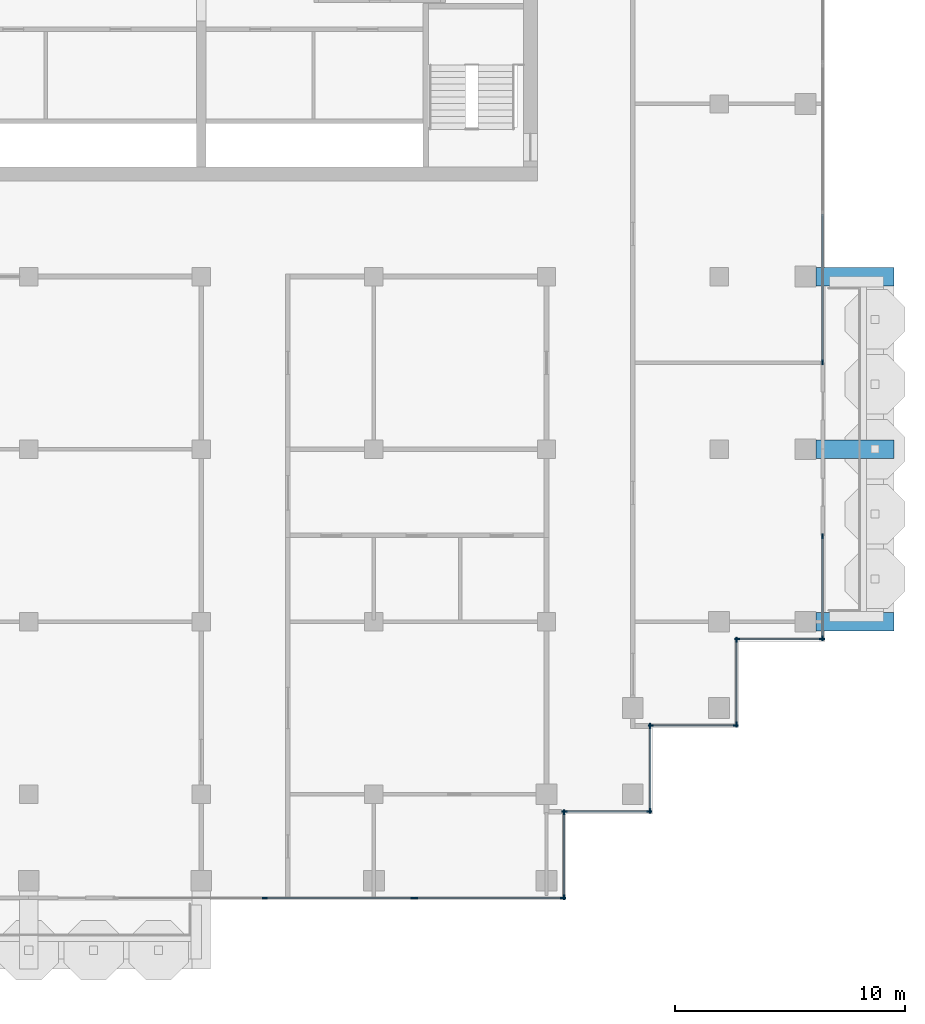
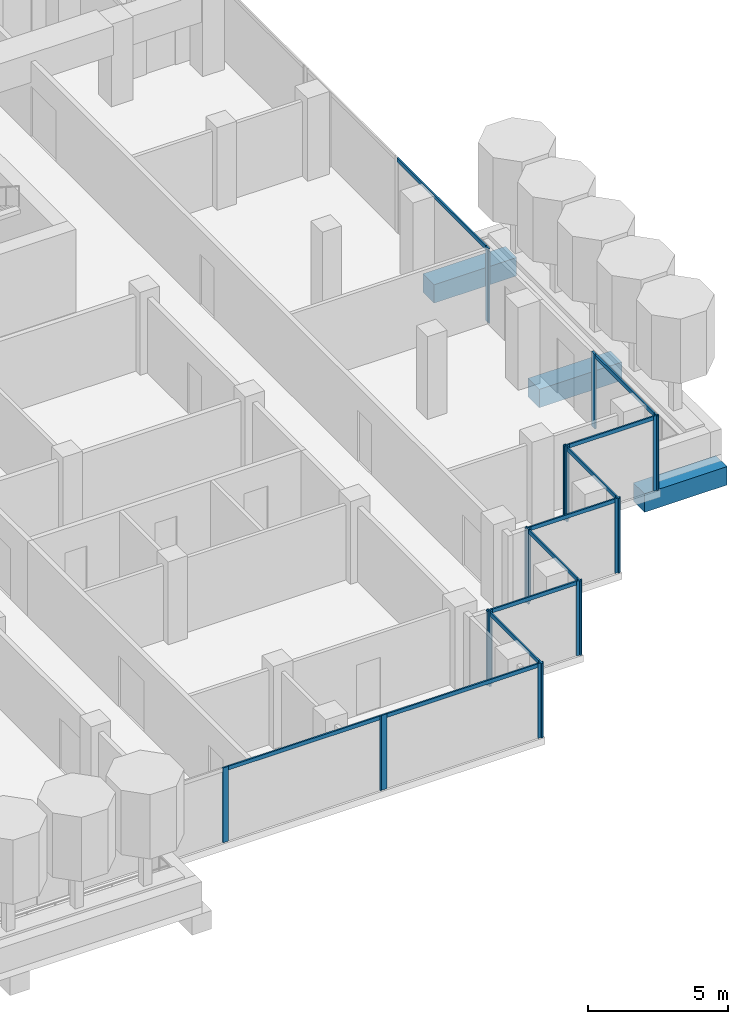
# One storey, part 4 of 18: 29 members, 3 beams, 10 elements without a shape of their own.
"""IFC4 building model written with IfcOpenShell, lengths in metres."""

from ifc_helpers import new_model, si_unit, direction, frame, origin, origin_2d, place, context, subcontext, project, spatial, rectangle, extrude, material, material_profile, profile_set, type_object, element, aggregate, save


model = new_model("IFC4")

# Units and contexts
model_context = context("Model", 3, precision=1e-05, world=origin(), true_north=direction((0.0, 1.0)))
body_context = subcontext(model_context, "Body", "Model", "MODEL_VIEW")
ifc_project = project(units=[si_unit("LENGTHUNIT", "METRE"), si_unit("AREAUNIT", "SQUARE_METRE"), si_unit("VOLUMEUNIT", "CUBIC_METRE"), si_unit("PLANEANGLEUNIT", "RADIAN"), si_unit("MASSUNIT", "GRAM", prefix="KILO")], contexts=[model_context])

# Site, building, storey
site_placement = place(None, origin())
site = spatial("IfcSite", under=ifc_project, at=site_placement, CompositionType="ELEMENT")
building_placement = place(site_placement, origin())
building = spatial("IfcBuilding", under=site, at=building_placement, Name="Pilkhan Gate Tower", CompositionType="ELEMENT")
storey_placement = place(building_placement, frame((0.0, 0.0, 249.89990234375)))
storey = spatial("IfcBuildingStorey", under=building, at=storey_placement, Name="L65", CompositionType="ELEMENT", Elevation=249.89990234375)

# Beams
ifc_material_1 = material(Name="Concrete C50/60", Category="concrete")
ifc_material_profile_1 = material_profile(ifc_material_1, rectangle(XDim=0.800048828125, YDim=0.800048828125, at=origin_2d()), Name="RC 800x800")
ifc_profile_set_1 = profile_set([ifc_material_profile_1], Name="Concrete C50/60")
beam_type = type_object("IfcBeamType", Name="Cantilever beam CB2 RC 800x800 C50/60", PredefinedType="BEAM", material=ifc_profile_set_1)
for number, where, z_axis, x_axis, name in (
    (1, (101.699951171875, 52.5, -0.699951171875), (1.0, 0.0, 0.0), (0.0, 1.0, 0.0), "Balcony beam E.1 L65"),
    (2, (101.699951171875, 60.0, -0.699951171875), (1.0, 0.0, 0.0), (0.0, 1.0, 0.0), "Balcony beam E.2 L65"),
    (3, (101.699951171875, 67.5, -0.699951171875), (1.0, 0.0, 0.0), (0.0, 1.0, 0.0), "Balcony beam E.3 L65"),
):
    element("IfcBeam", number, at=place(storey_placement, frame(where, z_axis=z_axis, x_axis=x_axis)), inside=storey, type_object=beam_type, Name=name, PredefinedType="BEAM", context=body_context, shape_type="SweptSolid", body=[
        extrude(rectangle(XDim=0.800048828125, YDim=0.800048828125, at=origin_2d()), origin(), (0.0, 0.0, 1.0), 3.400146484375),
    ])

# Curtain wall, members
ifc_material_2 = material(Name="Pale anodised aluminium, clear low-iron double glazing", Category="aluminium")
curtain_wall_type = type_object("IfcCurtainWallType", Name="Office unitised curtain wall CW-O2", PredefinedType="USERDEFINED", material=ifc_material_2)
curtain_wall_1_placement = place(storey_placement, origin())
curtain_wall_1 = element("IfcCurtainWall", 4, at=curtain_wall_1_placement, inside=storey, type_object=curtain_wall_type, Name="Office unitised curtain wall CW-O2 L65 E", ObjectType="UNITISED CURTAIN WALL", PredefinedType="USERDEFINED")
ifc_material_3 = material(Name="Pale anodised aluminium", Category="aluminium")
ifc_material_profile_2 = material_profile(ifc_material_3, rectangle(XDim=0.06494140625, YDim=0.22509765625, at=origin_2d()), Name="Mullion 225x65")
ifc_profile_set_2 = profile_set([ifc_material_profile_2], Name="Pale anodised aluminium")
member_type_1 = type_object("IfcMemberType", Name="Mullion CW-O2 225x65", PredefinedType="MULLION", material=ifc_profile_set_2)
member_1_placement = place(storey_placement, frame((102.0, 51.782470703125, 0.0), z_axis=(0.0, 0.0, 1.0), x_axis=(-1.0, 0.0, 0.0)))
member_1 = element("IfcMember", 5, at=member_1_placement, type_object=member_type_1, Name="CW-O2 mullion 1", PredefinedType="MULLION", context=body_context, shape_type="SweptSolid", body=[
    extrude(rectangle(XDim=0.06494140625, YDim=0.22509765625, at=origin_2d()), origin(), (0.0, 0.0, 1.0), 3.25),
])
member_2_placement = place(storey_placement, frame((102.0, 56.217529296875, 0.0), z_axis=(0.0, 0.0, 1.0), x_axis=(-1.0, 0.0, 0.0)))
member_2 = element("IfcMember", 6, at=member_2_placement, type_object=member_type_1, Name="CW-O2 mullion 2", PredefinedType="MULLION", context=body_context, shape_type="SweptSolid", body=[
    extrude(rectangle(XDim=0.06494140625, YDim=0.22509765625, at=origin_2d()), origin(), (0.0, 0.0, 1.0), 3.25),
])

# Curtain wall, member
curtain_wall_2_placement = place(storey_placement, origin())
curtain_wall_2 = element("IfcCurtainWall", 7, at=curtain_wall_2_placement, inside=storey, type_object=curtain_wall_type, Name="Office unitised curtain wall CW-O2 L65 E", ObjectType="UNITISED CURTAIN WALL", PredefinedType="USERDEFINED")
member_3_placement = place(storey_placement, frame((102.0, 63.782470703125, 0.0), z_axis=(0.0, 0.0, 1.0), x_axis=(-1.0, 0.0, 0.0)))
member_3 = element("IfcMember", 8, at=member_3_placement, type_object=member_type_1, Name="CW-O2 mullion 1", PredefinedType="MULLION", context=body_context, shape_type="SweptSolid", body=[
    extrude(rectangle(XDim=0.06494140625, YDim=0.22509765625, at=origin_2d()), origin(), (0.0, 0.0, 1.0), 3.25),
])

# Curtain wall, members
curtain_wall_3_placement = place(storey_placement, origin())
curtain_wall_3 = element("IfcCurtainWall", 9, at=curtain_wall_3_placement, inside=storey, type_object=curtain_wall_type, Name="Office unitised curtain wall CW-O2 L65 S", ObjectType="UNITISED CURTAIN WALL", PredefinedType="USERDEFINED")
member_4_placement = place(storey_placement, frame((77.75, 40.5, 0.0), z_axis=(0.0, 0.0, 1.0), x_axis=(0.0, 1.0, 0.0)))
member_4 = element("IfcMember", 10, at=member_4_placement, type_object=member_type_1, Name="CW-O2 mullion 2", PredefinedType="MULLION", context=body_context, shape_type="SweptSolid", body=[
    extrude(rectangle(XDim=0.06494140625, YDim=0.22509765625, at=origin_2d()), origin(), (0.0, 0.0, 1.0), 3.25),
])
member_5_placement = place(storey_placement, frame((84.217529296875, 40.5, 0.0), z_axis=(0.0, 0.0, 1.0), x_axis=(0.0, 1.0, 0.0)))
member_5 = element("IfcMember", 11, at=member_5_placement, type_object=member_type_1, Name="CW-O2 mullion 3", PredefinedType="MULLION", context=body_context, shape_type="SweptSolid", body=[
    extrude(rectangle(XDim=0.06494140625, YDim=0.22509765625, at=origin_2d()), origin(), (0.0, 0.0, 1.0), 3.25),
])

curtain_wall_4_placement = place(storey_placement, origin())
curtain_wall_4 = element("IfcCurtainWall", 12, at=curtain_wall_4_placement, inside=storey, type_object=curtain_wall_type, Name="Office unitised curtain wall CW-O2 L65 S", ObjectType="UNITISED CURTAIN WALL", PredefinedType="USERDEFINED")
member_6_placement = place(storey_placement, frame((84.282470703125, 40.5, 0.0), z_axis=(0.0, 0.0, 1.0), x_axis=(0.0, 1.0, 0.0)))
member_6 = element("IfcMember", 13, at=member_6_placement, type_object=member_type_1, Name="CW-O2 mullion 1", PredefinedType="MULLION", context=body_context, shape_type="SweptSolid", body=[
    extrude(rectangle(XDim=0.06494140625, YDim=0.22509765625, at=origin_2d()), origin(), (0.0, 0.0, 1.0), 3.25),
])
member_7_placement = place(storey_placement, frame((90.717529296875, 40.5, 0.0), z_axis=(0.0, 0.0, 1.0), x_axis=(0.0, 1.0, 0.0)))
member_7 = element("IfcMember", 14, at=member_7_placement, type_object=member_type_1, Name="CW-O2 mullion 2", PredefinedType="MULLION", context=body_context, shape_type="SweptSolid", body=[
    extrude(rectangle(XDim=0.06494140625, YDim=0.22509765625, at=origin_2d()), origin(), (0.0, 0.0, 1.0), 3.25),
])

curtain_wall_5_placement = place(storey_placement, origin())
curtain_wall_5 = element("IfcCurtainWall", 15, at=curtain_wall_5_placement, inside=storey, type_object=curtain_wall_type, Name="Office unitised curtain wall CW-O2 L65 E", ObjectType="UNITISED CURTAIN WALL", PredefinedType="USERDEFINED")
member_8_placement = place(storey_placement, frame((90.75, 40.532470703125, 0.0), z_axis=(0.0, 0.0, 1.0), x_axis=(-1.0, 0.0, 0.0)))
member_8 = element("IfcMember", 16, at=member_8_placement, type_object=member_type_1, Name="CW-O2 mullion 1", PredefinedType="MULLION", context=body_context, shape_type="SweptSolid", body=[
    extrude(rectangle(XDim=0.06494140625, YDim=0.22509765625, at=origin_2d()), origin(), (0.0, 0.0, 1.0), 3.25),
])
member_9_placement = place(storey_placement, frame((90.75, 44.217529296875, 0.0), z_axis=(0.0, 0.0, 1.0), x_axis=(-1.0, 0.0, 0.0)))
member_9 = element("IfcMember", 17, at=member_9_placement, type_object=member_type_1, Name="CW-O2 mullion 2", PredefinedType="MULLION", context=body_context, shape_type="SweptSolid", body=[
    extrude(rectangle(XDim=0.06494140625, YDim=0.22509765625, at=origin_2d()), origin(), (0.0, 0.0, 1.0), 3.25),
])

curtain_wall_6_placement = place(storey_placement, origin())
curtain_wall_6 = element("IfcCurtainWall", 18, at=curtain_wall_6_placement, inside=storey, type_object=curtain_wall_type, Name="Office unitised curtain wall CW-O2 L65 S", ObjectType="UNITISED CURTAIN WALL", PredefinedType="USERDEFINED")
member_10_placement = place(storey_placement, frame((90.782470703125, 44.25, 0.0), z_axis=(0.0, 0.0, 1.0), x_axis=(0.0, 1.0, 0.0)))
member_10 = element("IfcMember", 19, at=member_10_placement, type_object=member_type_1, Name="CW-O2 mullion 1", PredefinedType="MULLION", context=body_context, shape_type="SweptSolid", body=[
    extrude(rectangle(XDim=0.06494140625, YDim=0.22509765625, at=origin_2d()), origin(), (0.0, 0.0, 1.0), 3.25),
])
member_11_placement = place(storey_placement, frame((94.467529296875, 44.25, 0.0), z_axis=(0.0, 0.0, 1.0), x_axis=(0.0, 1.0, 0.0)))
member_11 = element("IfcMember", 20, at=member_11_placement, type_object=member_type_1, Name="CW-O2 mullion 2", PredefinedType="MULLION", context=body_context, shape_type="SweptSolid", body=[
    extrude(rectangle(XDim=0.06494140625, YDim=0.22509765625, at=origin_2d()), origin(), (0.0, 0.0, 1.0), 3.25),
])

curtain_wall_7_placement = place(storey_placement, origin())
curtain_wall_7 = element("IfcCurtainWall", 21, at=curtain_wall_7_placement, inside=storey, type_object=curtain_wall_type, Name="Office unitised curtain wall CW-O2 L65 E", ObjectType="UNITISED CURTAIN WALL", PredefinedType="USERDEFINED")
member_12_placement = place(storey_placement, frame((94.5, 44.282470703125, 0.0), z_axis=(0.0, 0.0, 1.0), x_axis=(-1.0, 0.0, 0.0)))
member_12 = element("IfcMember", 22, at=member_12_placement, type_object=member_type_1, Name="CW-O2 mullion 1", PredefinedType="MULLION", context=body_context, shape_type="SweptSolid", body=[
    extrude(rectangle(XDim=0.06494140625, YDim=0.22509765625, at=origin_2d()), origin(), (0.0, 0.0, 1.0), 3.25),
])
member_13_placement = place(storey_placement, frame((94.5, 47.967529296875, 0.0), z_axis=(0.0, 0.0, 1.0), x_axis=(-1.0, 0.0, 0.0)))
member_13 = element("IfcMember", 23, at=member_13_placement, type_object=member_type_1, Name="CW-O2 mullion 2", PredefinedType="MULLION", context=body_context, shape_type="SweptSolid", body=[
    extrude(rectangle(XDim=0.06494140625, YDim=0.22509765625, at=origin_2d()), origin(), (0.0, 0.0, 1.0), 3.25),
])

curtain_wall_8_placement = place(storey_placement, origin())
curtain_wall_8 = element("IfcCurtainWall", 24, at=curtain_wall_8_placement, inside=storey, type_object=curtain_wall_type, Name="Office unitised curtain wall CW-O2 L65 S", ObjectType="UNITISED CURTAIN WALL", PredefinedType="USERDEFINED")
member_14_placement = place(storey_placement, frame((94.532470703125, 48.0, 0.0), z_axis=(0.0, 0.0, 1.0), x_axis=(0.0, 1.0, 0.0)))
member_14 = element("IfcMember", 25, at=member_14_placement, type_object=member_type_1, Name="CW-O2 mullion 1", PredefinedType="MULLION", context=body_context, shape_type="SweptSolid", body=[
    extrude(rectangle(XDim=0.06494140625, YDim=0.22509765625, at=origin_2d()), origin(), (0.0, 0.0, 1.0), 3.25),
])
member_15_placement = place(storey_placement, frame((98.217529296875, 48.0, 0.0), z_axis=(0.0, 0.0, 1.0), x_axis=(0.0, 1.0, 0.0)))
member_15 = element("IfcMember", 26, at=member_15_placement, type_object=member_type_1, Name="CW-O2 mullion 2", PredefinedType="MULLION", context=body_context, shape_type="SweptSolid", body=[
    extrude(rectangle(XDim=0.06494140625, YDim=0.22509765625, at=origin_2d()), origin(), (0.0, 0.0, 1.0), 3.25),
])

curtain_wall_9_placement = place(storey_placement, origin())
curtain_wall_9 = element("IfcCurtainWall", 27, at=curtain_wall_9_placement, inside=storey, type_object=curtain_wall_type, Name="Office unitised curtain wall CW-O2 L65 E", ObjectType="UNITISED CURTAIN WALL", PredefinedType="USERDEFINED")
member_16_placement = place(storey_placement, frame((98.25, 48.032470703125, 0.0), z_axis=(0.0, 0.0, 1.0), x_axis=(-1.0, 0.0, 0.0)))
member_16 = element("IfcMember", 28, at=member_16_placement, type_object=member_type_1, Name="CW-O2 mullion 1", PredefinedType="MULLION", context=body_context, shape_type="SweptSolid", body=[
    extrude(rectangle(XDim=0.06494140625, YDim=0.22509765625, at=origin_2d()), origin(), (0.0, 0.0, 1.0), 3.25),
])
member_17_placement = place(storey_placement, frame((98.25, 51.717529296875, 0.0), z_axis=(0.0, 0.0, 1.0), x_axis=(-1.0, 0.0, 0.0)))
member_17 = element("IfcMember", 29, at=member_17_placement, type_object=member_type_1, Name="CW-O2 mullion 2", PredefinedType="MULLION", context=body_context, shape_type="SweptSolid", body=[
    extrude(rectangle(XDim=0.06494140625, YDim=0.22509765625, at=origin_2d()), origin(), (0.0, 0.0, 1.0), 3.25),
])

curtain_wall_10_placement = place(storey_placement, origin())
curtain_wall_10 = element("IfcCurtainWall", 30, at=curtain_wall_10_placement, inside=storey, type_object=curtain_wall_type, Name="Office unitised curtain wall CW-O2 L65 S", ObjectType="UNITISED CURTAIN WALL", PredefinedType="USERDEFINED")
member_18_placement = place(storey_placement, frame((98.282470703125, 51.75, 0.0), z_axis=(0.0, 0.0, 1.0), x_axis=(0.0, 1.0, 0.0)))
member_18 = element("IfcMember", 31, at=member_18_placement, type_object=member_type_1, Name="CW-O2 mullion 1", PredefinedType="MULLION", context=body_context, shape_type="SweptSolid", body=[
    extrude(rectangle(XDim=0.06494140625, YDim=0.22509765625, at=origin_2d()), origin(), (0.0, 0.0, 1.0), 3.25),
])
member_19_placement = place(storey_placement, frame((101.967529296875, 51.75, 0.0), z_axis=(0.0, 0.0, 1.0), x_axis=(0.0, 1.0, 0.0)))
member_19 = element("IfcMember", 32, at=member_19_placement, type_object=member_type_1, Name="CW-O2 mullion 2", PredefinedType="MULLION", context=body_context, shape_type="SweptSolid", body=[
    extrude(rectangle(XDim=0.06494140625, YDim=0.22509765625, at=origin_2d()), origin(), (0.0, 0.0, 1.0), 3.25),
])

# Member
ifc_material_profile_3 = material_profile(ifc_material_3, rectangle(XDim=0.06494140625, YDim=0.1650390625, at=origin_2d()), Name="Transom 165x65")
ifc_profile_set_3 = profile_set([ifc_material_profile_3], Name="Pale anodised aluminium")
member_type_2 = type_object("IfcMemberType", Name="Transom CW-O2 165x65", PredefinedType="USERDEFINED", material=ifc_profile_set_3)
member_20_placement = place(storey_placement, frame((102.0, 51.81494140625, 3.16748046875), z_axis=(0.0, 1.0, 0.0), x_axis=(-1.0, 0.0, 0.0)))
member_20 = element("IfcMember", 33, at=member_20_placement, type_object=member_type_2, Name="CW-O2 transom 1", ObjectType="TRANSOM", PredefinedType="USERDEFINED", context=body_context, shape_type="SweptSolid", body=[
    extrude(rectangle(XDim=0.06494140625, YDim=0.1650390625, at=origin_2d()), origin(), (0.0, 0.0, 1.0), 4.3701171875),
])

aggregate(curtain_wall_1, [member_1, member_2, member_20])

member_21_placement = place(storey_placement, frame((102.0, 63.81494140625, 3.16748046875), z_axis=(0.0, 1.0, 0.0), x_axis=(-1.0, 0.0, 0.0)))
member_21 = element("IfcMember", 34, at=member_21_placement, type_object=member_type_2, Name="CW-O2 transom 1", ObjectType="TRANSOM", PredefinedType="USERDEFINED", context=body_context, shape_type="SweptSolid", body=[
    extrude(rectangle(XDim=0.06494140625, YDim=0.1650390625, at=origin_2d()), origin(), (0.0, 0.0, 1.0), 6.402587890625),
])

aggregate(curtain_wall_2, [member_3, member_21])

member_22_placement = place(storey_placement, frame((77.782470703125, 40.5, 3.16748046875), z_axis=(1.0, 0.0, 0.0), x_axis=(0.0, 1.0, 0.0)))
member_22 = element("IfcMember", 35, at=member_22_placement, type_object=member_type_2, Name="CW-O2 transom 2", ObjectType="TRANSOM", PredefinedType="USERDEFINED", context=body_context, shape_type="SweptSolid", body=[
    extrude(rectangle(XDim=0.06494140625, YDim=0.1650390625, at=origin_2d()), origin(), (0.0, 0.0, 1.0), 6.402587890625),
])

aggregate(curtain_wall_3, [member_4, member_5, member_22])

member_23_placement = place(storey_placement, frame((84.31494140625, 40.5, 3.16748046875), z_axis=(1.0, 0.0, 0.0), x_axis=(0.0, 1.0, 0.0)))
member_23 = element("IfcMember", 36, at=member_23_placement, type_object=member_type_2, Name="CW-O2 transom 1", ObjectType="TRANSOM", PredefinedType="USERDEFINED", context=body_context, shape_type="SweptSolid", body=[
    extrude(rectangle(XDim=0.06494140625, YDim=0.1650390625, at=origin_2d()), origin(), (0.0, 0.0, 1.0), 6.3701171875),
])

aggregate(curtain_wall_4, [member_6, member_7, member_23])

member_24_placement = place(storey_placement, frame((90.75, 40.56494140625, 3.16748046875), z_axis=(0.0, 1.0, 0.0), x_axis=(-1.0, 0.0, 0.0)))
member_24 = element("IfcMember", 37, at=member_24_placement, type_object=member_type_2, Name="CW-O2 transom 1", ObjectType="TRANSOM", PredefinedType="USERDEFINED", context=body_context, shape_type="SweptSolid", body=[
    extrude(rectangle(XDim=0.06494140625, YDim=0.1650390625, at=origin_2d()), origin(), (0.0, 0.0, 1.0), 3.6201171875),
])

aggregate(curtain_wall_5, [member_8, member_9, member_24])

member_25_placement = place(storey_placement, frame((90.81494140625, 44.25, 3.16748046875), z_axis=(1.0, 0.0, 0.0), x_axis=(0.0, 1.0, 0.0)))
member_25 = element("IfcMember", 38, at=member_25_placement, type_object=member_type_2, Name="CW-O2 transom 1", ObjectType="TRANSOM", PredefinedType="USERDEFINED", context=body_context, shape_type="SweptSolid", body=[
    extrude(rectangle(XDim=0.06494140625, YDim=0.1650390625, at=origin_2d()), origin(), (0.0, 0.0, 1.0), 3.6201171875),
])

aggregate(curtain_wall_6, [member_10, member_11, member_25])

member_26_placement = place(storey_placement, frame((94.5, 44.31494140625, 3.16748046875), z_axis=(0.0, 1.0, 0.0), x_axis=(-1.0, 0.0, 0.0)))
member_26 = element("IfcMember", 39, at=member_26_placement, type_object=member_type_2, Name="CW-O2 transom 1", ObjectType="TRANSOM", PredefinedType="USERDEFINED", context=body_context, shape_type="SweptSolid", body=[
    extrude(rectangle(XDim=0.06494140625, YDim=0.1650390625, at=origin_2d()), origin(), (0.0, 0.0, 1.0), 3.6201171875),
])

aggregate(curtain_wall_7, [member_12, member_13, member_26])

member_27_placement = place(storey_placement, frame((94.56494140625, 48.0, 3.16748046875), z_axis=(1.0, 0.0, 0.0), x_axis=(0.0, 1.0, 0.0)))
member_27 = element("IfcMember", 40, at=member_27_placement, type_object=member_type_2, Name="CW-O2 transom 1", ObjectType="TRANSOM", PredefinedType="USERDEFINED", context=body_context, shape_type="SweptSolid", body=[
    extrude(rectangle(XDim=0.06494140625, YDim=0.1650390625, at=origin_2d()), origin(), (0.0, 0.0, 1.0), 3.6201171875),
])

aggregate(curtain_wall_8, [member_14, member_15, member_27])

member_28_placement = place(storey_placement, frame((98.25, 48.06494140625, 3.16748046875), z_axis=(0.0, 1.0, 0.0), x_axis=(-1.0, 0.0, 0.0)))
member_28 = element("IfcMember", 41, at=member_28_placement, type_object=member_type_2, Name="CW-O2 transom 1", ObjectType="TRANSOM", PredefinedType="USERDEFINED", context=body_context, shape_type="SweptSolid", body=[
    extrude(rectangle(XDim=0.06494140625, YDim=0.1650390625, at=origin_2d()), origin(), (0.0, 0.0, 1.0), 3.6201171875),
])

aggregate(curtain_wall_9, [member_16, member_17, member_28])

member_29_placement = place(storey_placement, frame((98.31494140625, 51.75, 3.16748046875), z_axis=(1.0, 0.0, 0.0), x_axis=(0.0, 1.0, 0.0)))
member_29 = element("IfcMember", 42, at=member_29_placement, type_object=member_type_2, Name="CW-O2 transom 1", ObjectType="TRANSOM", PredefinedType="USERDEFINED", context=body_context, shape_type="SweptSolid", body=[
    extrude(rectangle(XDim=0.06494140625, YDim=0.1650390625, at=origin_2d()), origin(), (0.0, 0.0, 1.0), 3.6201171875),
])

aggregate(curtain_wall_10, [member_18, member_19, member_29])

save(model, "model.ifc")
